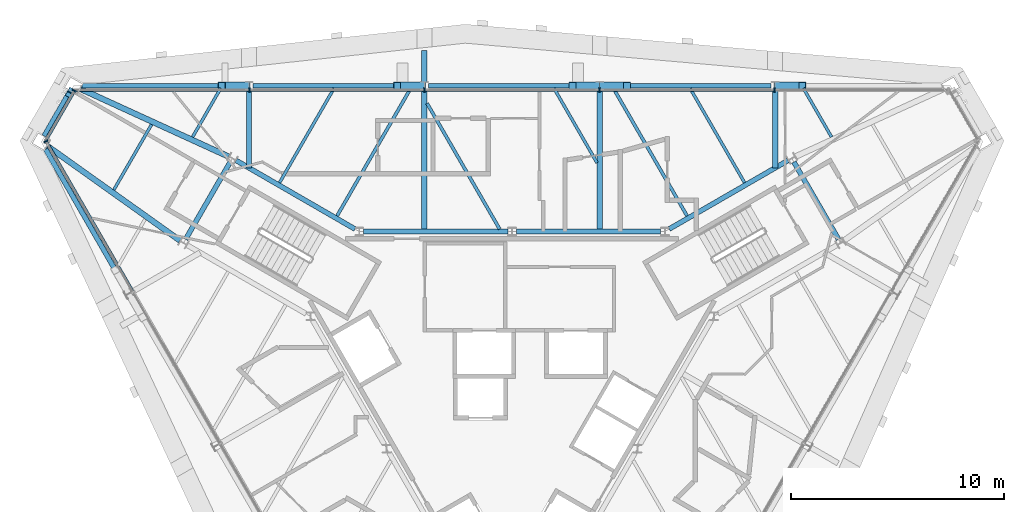
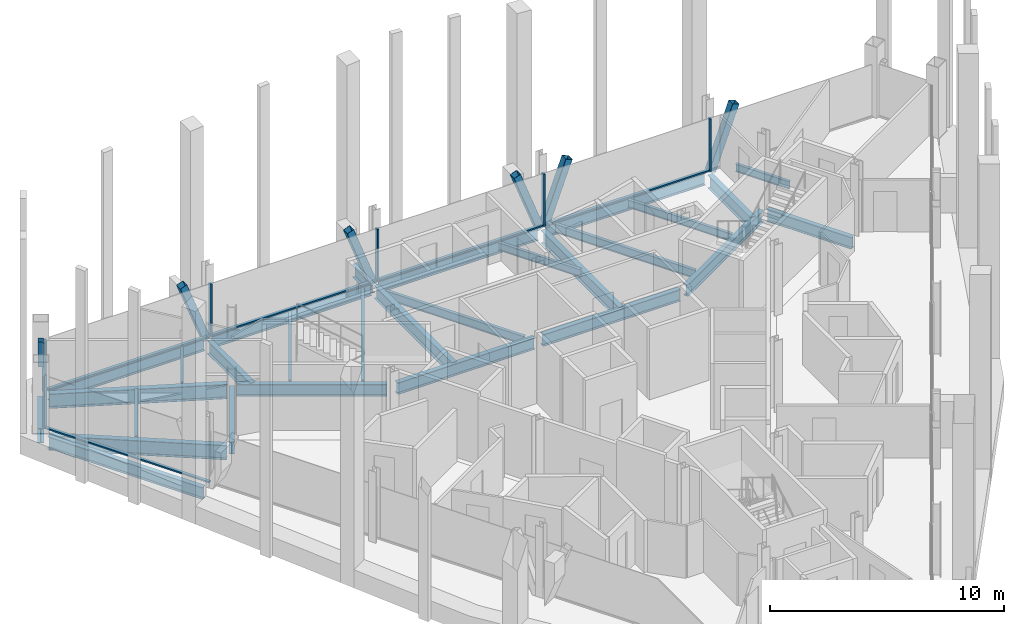
# One storey, part 5 of 13: 28 beams, 18 members, 3 elements without a shape of their own.
"""IFC4 building model written with IfcOpenShell, lengths in metres."""

from ifc_helpers import new_model, si_unit, direction, frame, origin, origin_2d, place, context, subcontext, project, spatial, rectangle, hollow_rectangle, i_section, extrude, material, material_profile, profile_set, type_object, element, aggregate, save


model = new_model("IFC4")

# Units and contexts
model_context = context("Model", 3, precision=1e-05, world=origin(), true_north=direction((0.0, 1.0)))
body_context = subcontext(model_context, "Body", "Model", "MODEL_VIEW")
ifc_project = project(units=[si_unit("LENGTHUNIT", "METRE"), si_unit("AREAUNIT", "SQUARE_METRE"), si_unit("VOLUMEUNIT", "CUBIC_METRE"), si_unit("PLANEANGLEUNIT", "RADIAN"), si_unit("MASSUNIT", "GRAM", prefix="KILO")], contexts=[model_context])

# Site, building, storey
site_placement = place(None, origin())
site = spatial("IfcSite", under=ifc_project, at=site_placement, CompositionType="ELEMENT")
building_placement = place(site_placement, origin())
building = spatial("IfcBuilding", under=site, at=building_placement, Name="Verrane Prism Tower", CompositionType="ELEMENT")
storey_placement = place(building_placement, frame((0.0, 0.0, 286.199951171875)))
storey = spatial("IfcBuildingStorey", under=building, at=storey_placement, Name="L72", CompositionType="ELEMENT", Elevation=286.199951171875)

# Member
ifc_material_1 = material(Name="Steel A500 Grade C", Category="steel")
ifc_material_profile_1 = material_profile(ifc_material_1, hollow_rectangle(XDim=0.25390625, YDim=0.25390625, WallThickness=0.009521484375, InnerFilletRadius=0.0048828125, OuterFilletRadius=0.014404296875, at=origin_2d()), Name="HSS10x10x3/8")
ifc_profile_set_1 = profile_set([ifc_material_profile_1], Name="Steel A500 Grade C")
member_type_1 = type_object("IfcMemberType", Name="Chamfer brace HSS10x10x3/8", PredefinedType="BRACE", material=ifc_profile_set_1)
member_1_placement = place(storey_placement, frame((-20.735107421875, 13.416259765625, 1.434814453125), z_axis=(-0.067786070904, -0.117484586728, 0.990758507646), x_axis=(0.866164837017, -0.499758416753, 0.0)))
element("IfcMember", 1, at=member_1_placement, inside=storey, type_object=member_type_1, Name="Chamfer brace NW0 L72", PredefinedType="BRACE", context=body_context, shape_type="SweptSolid", body=[
    extrude(hollow_rectangle(XDim=0.25390625, YDim=0.25390625, WallThickness=0.009521484375, InnerFilletRadius=0.0048828125, OuterFilletRadius=0.014404296875, at=origin_2d()), origin(), (0.0, 0.0, 1.0), 1.4443359375),
])

# Beams
ifc_material_2 = material(Name="Steel A992", Category="steel")
ifc_material_profile_2 = material_profile(ifc_material_2, i_section(OverallWidth=0.2666015625, OverallDepth=0.7568359375, WebThickness=0.013916015625, FlangeThickness=0.019287109375, FilletRadius=0.0166015625, at=origin_2d()), Name="W30x108")
ifc_profile_set_2 = profile_set([ifc_material_profile_2], Name="Steel A992")
beam_type_1 = type_object("IfcBeamType", Name="Chamfer spandrel beam W30x108", PredefinedType="SPANDREL", material=ifc_profile_set_2)
beam_1_placement = place(storey_placement, frame((-20.75, 13.390380859375, -0.538330078125), z_axis=(-0.500436097356, -0.865773476415, 0.0), x_axis=(0.865773476415, -0.500436097356, 0.0)))
element("IfcBeam", 2, at=beam_1_placement, inside=storey, type_object=beam_type_1, Name="Chamfer spandrel beam L72", PredefinedType="SPANDREL", context=body_context, shape_type="SweptSolid", body=[
    extrude(i_section(OverallWidth=0.2666015625, OverallDepth=0.7568359375, WebThickness=0.013916015625, FlangeThickness=0.019287109375, FilletRadius=0.0166015625, at=origin_2d()), origin(), (0.0, 0.0, 1.0), 2.437744140625),
])
ifc_material_3 = material(Name="Steel A992", Category="steel")
ifc_material_profile_3 = material_profile(ifc_material_3, i_section(OverallWidth=0.23046875, OverallDepth=0.6171875, WebThickness=0.01318359375, FlangeThickness=0.022216796875, FilletRadius=0.012939453125, at=origin_2d()), Name="W24x94")
ifc_profile_set_3 = profile_set([ifc_material_profile_3], Name="Steel A992")
beam_type_2 = type_object("IfcBeamType", Name="Core ring girder W24x94", PredefinedType="BEAM", material=ifc_profile_set_3)
beam_2_placement = place(storey_placement, frame((15.339599609375, 6.43359375, -0.55859375), z_axis=(-0.500306681185, 0.865848268903, 0.0), x_axis=(-0.865848268903, -0.500306681185, 0.0)))
element("IfcBeam", 3, at=beam_2_placement, inside=storey, type_object=beam_type_2, Name="Core ring girder L72", PredefinedType="BEAM", context=body_context, shape_type="SweptSolid", body=[
    extrude(i_section(OverallWidth=0.23046875, OverallDepth=0.6171875, WebThickness=0.01318359375, FlangeThickness=0.022216796875, FilletRadius=0.012939453125, at=origin_2d()), origin(), (0.0, 0.0, 1.0), 4.195556640625),
])
beam_3_placement = place(storey_placement, frame((12.96728515625, 10.140380859375, -0.55859375), z_axis=(-0.866080992722, -0.499903704773, 0.0), x_axis=(0.499903704773, -0.866080992722, 0.0)))
element("IfcBeam", 4, at=beam_3_placement, inside=storey, type_object=beam_type_2, Name="Core ring girder L72", PredefinedType="BEAM", context=body_context, shape_type="SweptSolid", body=[
    extrude(i_section(OverallWidth=0.23046875, OverallDepth=0.6171875, WebThickness=0.01318359375, FlangeThickness=0.022216796875, FilletRadius=0.012939453125, at=origin_2d()), origin(), (0.0, 0.0, 1.0), 6.451904296875),
])
for number, where, z_axis, x_axis, name in (
    (5, (6.980712890625, 6.800048828125, -0.55859375), (-1.0, 0.0, 0.0), (0.0, -1.0, 0.0), "Core ring girder L72"),
    (6, (-0.199462890625, 6.800048828125, -0.55859375), (-1.0, 0.0, 0.0), (0.0, -1.0, 0.0), "Core ring girder L72"),
):
    element("IfcBeam", number, at=place(storey_placement, frame(where, z_axis=z_axis, x_axis=x_axis)), inside=storey, type_object=beam_type_2, Name=name, PredefinedType="BEAM", context=body_context, shape_type="SweptSolid", body=[
        extrude(i_section(OverallWidth=0.23046875, OverallDepth=0.6171875, WebThickness=0.01318359375, FlangeThickness=0.022216796875, FilletRadius=0.012939453125, at=origin_2d()), origin(), (0.0, 0.0, 1.0), 6.78125),
    ])
beam_4_placement = place(storey_placement, frame((-7.37939453125, 6.9150390625, -0.55859375), z_axis=(-0.866080992722, 0.499903704773, 0.0), x_axis=(-0.499903704773, -0.866080992722, 0.0)))
element("IfcBeam", 7, at=beam_4_placement, inside=storey, type_object=beam_type_2, Name="Core ring girder L72", PredefinedType="BEAM", context=body_context, shape_type="SweptSolid", body=[
    extrude(i_section(OverallWidth=0.23046875, OverallDepth=0.6171875, WebThickness=0.01318359375, FlangeThickness=0.022216796875, FilletRadius=0.012939453125, at=origin_2d()), origin(), (0.0, 0.0, 1.0), 6.451904296875),
])
beam_5_placement = place(storey_placement, frame((-13.240478515625, 10.06640625, -0.55859375), z_axis=(-0.500306681185, -0.865848268903, 0.0), x_axis=(0.865848268903, -0.500306681185, 0.0)))
element("IfcBeam", 8, at=beam_5_placement, inside=storey, type_object=beam_type_2, Name="Core ring girder L72", PredefinedType="BEAM", context=body_context, shape_type="SweptSolid", body=[
    extrude(i_section(OverallWidth=0.23046875, OverallDepth=0.6171875, WebThickness=0.01318359375, FlangeThickness=0.022216796875, FilletRadius=0.012939453125, at=origin_2d()), origin(), (0.0, 0.0, 1.0), 4.195556640625),
])
ifc_material_4 = material(Name="Steel A992", Category="steel")
ifc_material_profile_4 = material_profile(ifc_material_4, i_section(OverallWidth=0.2666015625, OverallDepth=0.7568359375, WebThickness=0.013916015625, FlangeThickness=0.019287109375, FilletRadius=0.0166015625, at=origin_2d()), Name="W30x108")
ifc_profile_set_4 = profile_set([ifc_material_profile_4], Name="Steel A992")
beam_type_3 = type_object("IfcBeamType", Name="Corner girder W30x108", PredefinedType="BEAM", material=ifc_profile_set_4)
for number, where, z_axis, x_axis, name in (
    (9, (-20.2802734375, 13.50390625, -0.598388671875), (0.909481370613, -0.415744677065, 0.0), (0.415744677065, 0.909481370613, 0.0), "Corner girder L72"),
    (10, (-21.833740234375, 10.81591796875, -0.598388671875), (0.814401339816, -0.580302040067, 0.0), (0.580302040067, 0.814401339816, 0.0), "Corner girder L72"),
):
    element("IfcBeam", number, at=place(storey_placement, frame(where, z_axis=z_axis, x_axis=x_axis)), inside=storey, type_object=beam_type_3, Name=name, PredefinedType="BEAM", context=body_context, shape_type="SweptSolid", body=[
        extrude(i_section(OverallWidth=0.2666015625, OverallDepth=0.7568359375, WebThickness=0.013916015625, FlangeThickness=0.019287109375, FilletRadius=0.0166015625, at=origin_2d()), origin(), (0.0, 0.0, 1.0), 7.650634765625),
    ])

# Members
ifc_material_5 = material(Name="Steel A500 Grade C", Category="steel")
ifc_material_profile_5 = material_profile(ifc_material_5, hollow_rectangle(XDim=0.355712890625, YDim=0.355712890625, WallThickness=0.0126953125, InnerFilletRadius=0.00634765625, OuterFilletRadius=0.01904296875, at=origin_2d()), Name="HSS14x14x1/2")
ifc_profile_set_5 = profile_set([ifc_material_profile_5], Name="Steel A500 Grade C")
member_type_2 = type_object("IfcMemberType", Name="Facade brace HSS14x14x1/2", PredefinedType="BRACE", material=ifc_profile_set_5)
for number, where, z_axis, x_axis, name in (
    (11, (12.47021484375, 13.64990234375, -0.171630859375), (0.34799321157, 0.0, 0.937497053169), (0.0, 1.0, 0.0), "Facade brace N0 L72"),
    (12, (4.230224609375, 13.64990234375, -0.171630859375), (0.34799321157, 0.0, 0.937497053169), (0.0, 1.0, 0.0), "Facade brace N1 L72"),
    (13, (4.009765625, 13.64990234375, -0.171630859375), (-0.34799321157, 0.0, 0.937497053169), (0.0, -1.0, 0.0), "Facade brace N2 L72"),
    (14, (-4.230224609375, 13.64990234375, -0.171630859375), (-0.34799321157, 0.0, 0.937497053169), (0.0, -1.0, 0.0), "Facade brace N3 L72"),
    (15, (-12.47021484375, 13.64990234375, -0.171630859375), (-0.34799321157, 0.0, 0.937497053169), (0.0, -1.0, 0.0), "Facade brace N4 L72"),
):
    element("IfcMember", number, at=place(storey_placement, frame(where, z_axis=z_axis, x_axis=x_axis)), inside=storey, type_object=member_type_2, Name=name, PredefinedType="BRACE", context=body_context, shape_type="SweptSolid", body=[
        extrude(hollow_rectangle(XDim=0.355712890625, YDim=0.355712890625, WallThickness=0.0126953125, InnerFilletRadius=0.00634765625, OuterFilletRadius=0.01904296875, at=origin_2d()), origin(), (0.0, 0.0, 1.0), 3.361328125),
    ])

# Beams
ifc_material_6 = material(Name="Steel A992", Category="steel")
ifc_material_profile_6 = material_profile(ifc_material_6, i_section(OverallWidth=0.140380859375, OverallDepth=0.40380859375, WebThickness=0.007080078125, FlangeThickness=0.01123046875, FilletRadius=0.01025390625, at=origin_2d()), Name="W16x31")
ifc_profile_set_6 = profile_set([ifc_material_profile_6], Name="Steel A992")
beam_type_4 = type_object("IfcBeamType", Name="Floor beam W16x31", PredefinedType="BEAM", material=ifc_profile_set_6)
beam_6_placement = place(storey_placement, frame((15.01123046875, 11.2421875, -0.36181640625), z_axis=(-0.50007632508, 0.865981332994, 0.0), x_axis=(-0.865981332994, -0.50007632508, 0.0)))
element("IfcBeam", 16, at=beam_6_placement, inside=storey, type_object=beam_type_4, Name="Floor beam L72", PredefinedType="BEAM", context=body_context, shape_type="SweptSolid", body=[
    extrude(i_section(OverallWidth=0.140380859375, OverallDepth=0.40380859375, WebThickness=0.007080078125, FlangeThickness=0.01123046875, FilletRadius=0.01025390625, at=origin_2d()), origin(), (0.0, 0.0, 1.0), 2.6474609375),
])
beam_7_placement = place(storey_placement, frame((10.925048828125, 9.094482421875, -0.36181640625), z_axis=(-0.500005474671, 0.866022242959, 0.0), x_axis=(-0.866022242959, -0.500005474671, 0.0)))
element("IfcBeam", 17, at=beam_7_placement, inside=storey, type_object=beam_type_4, Name="Floor beam L72", PredefinedType="BEAM", context=body_context, shape_type="SweptSolid", body=[
    extrude(i_section(OverallWidth=0.140380859375, OverallDepth=0.40380859375, WebThickness=0.007080078125, FlangeThickness=0.01123046875, FilletRadius=0.01025390625, at=origin_2d()), origin(), (0.0, 0.0, 1.0), 5.12744140625),
])
beam_8_placement = place(storey_placement, frame((3.992919921875, 10.029296875, -0.36181640625), z_axis=(-0.499992196334, 0.866029909186, 0.0), x_axis=(-0.866029909186, -0.499992196334, 0.0)))
element("IfcBeam", 18, at=beam_8_placement, inside=storey, type_object=beam_type_4, Name="Floor beam L72", PredefinedType="BEAM", context=body_context, shape_type="SweptSolid", body=[
    extrude(i_section(OverallWidth=0.140380859375, OverallDepth=0.40380859375, WebThickness=0.007080078125, FlangeThickness=0.01123046875, FilletRadius=0.01025390625, at=origin_2d()), origin(), (0.0, 0.0, 1.0), 4.0478515625),
])
beam_9_placement = place(storey_placement, frame((-10.925048828125, 9.094482421875, -0.36181640625), z_axis=(0.500005474671, 0.866022242959, 0.0), x_axis=(-0.866022242959, 0.500005474671, 0.0)))
element("IfcBeam", 19, at=beam_9_placement, inside=storey, type_object=beam_type_4, Name="Floor beam L72", PredefinedType="BEAM", context=body_context, shape_type="SweptSolid", body=[
    extrude(i_section(OverallWidth=0.140380859375, OverallDepth=0.40380859375, WebThickness=0.007080078125, FlangeThickness=0.01123046875, FilletRadius=0.01025390625, at=origin_2d()), origin(), (0.0, 0.0, 1.0), 5.12744140625),
])
beam_10_placement = place(storey_placement, frame((-15.01123046875, 11.2421875, -0.36181640625), z_axis=(0.50007632508, 0.865981332994, 0.0), x_axis=(-0.865981332994, 0.50007632508, 0.0)))
element("IfcBeam", 20, at=beam_10_placement, inside=storey, type_object=beam_type_4, Name="Floor beam L72", PredefinedType="BEAM", context=body_context, shape_type="SweptSolid", body=[
    extrude(i_section(OverallWidth=0.140380859375, OverallDepth=0.40380859375, WebThickness=0.007080078125, FlangeThickness=0.01123046875, FilletRadius=0.01025390625, at=origin_2d()), origin(), (0.0, 0.0, 1.0), 2.6474609375),
])
beam_11_placement = place(storey_placement, frame((-18.712158203125, 8.755615234375, -0.36181640625), z_axis=(0.499986454343, 0.866033224232, 0.0), x_axis=(-0.866033224232, 0.499986454343, 0.0)))
element("IfcBeam", 21, at=beam_11_placement, inside=storey, type_object=beam_type_4, Name="Floor beam L72", PredefinedType="BEAM", context=body_context, shape_type="SweptSolid", body=[
    extrude(i_section(OverallWidth=0.140380859375, OverallDepth=0.40380859375, WebThickness=0.007080078125, FlangeThickness=0.01123046875, FilletRadius=0.01025390625, at=origin_2d()), origin(), (0.0, 0.0, 1.0), 3.548828125),
])
ifc_material_7 = material(Name="Steel A992", Category="steel")
ifc_material_profile_7 = material_profile(ifc_material_7, i_section(OverallWidth=0.15234375, OverallDepth=0.449462890625, WebThickness=0.007568359375, FlangeThickness=0.0107421875, FilletRadius=0.01025390625, at=origin_2d()), Name="W18x35")
ifc_profile_set_7 = profile_set([ifc_material_profile_7], Name="Steel A992")
beam_type_5 = type_object("IfcBeamType", Name="Floor beam W18x35", PredefinedType="BEAM", material=ifc_profile_set_7)
beam_12_placement = place(storey_placement, frame((8.22265625, 7.53466796875, -0.384765625), z_axis=(-0.500012221024, 0.866018347858, 0.0), x_axis=(-0.866018347858, -0.500012221024, 0.0)))
element("IfcBeam", 22, at=beam_12_placement, inside=storey, type_object=beam_type_5, Name="Floor beam L72", PredefinedType="BEAM", context=body_context, shape_type="SweptSolid", body=[
    extrude(i_section(OverallWidth=0.15234375, OverallDepth=0.449462890625, WebThickness=0.007568359375, FlangeThickness=0.0107421875, FilletRadius=0.01025390625, at=origin_2d()), origin(), (0.0, 0.0, 1.0), 6.928466796875),
])
beam_13_placement = place(storey_placement, frame((-0.583251953125, 6.9150390625, -0.384765625), z_axis=(-0.499997234054, 0.866027000698, 0.0), x_axis=(-0.866027000698, -0.499997234054, 0.0)))
element("IfcBeam", 23, at=beam_13_placement, inside=storey, type_object=beam_type_5, Name="Floor beam L72", PredefinedType="BEAM", context=body_context, shape_type="SweptSolid", body=[
    extrude(i_section(OverallWidth=0.15234375, OverallDepth=0.449462890625, WebThickness=0.007568359375, FlangeThickness=0.0107421875, FilletRadius=0.01025390625, at=origin_2d()), origin(), (0.0, 0.0, 1.0), 6.8193359375),
])
beam_14_placement = place(storey_placement, frame((-8.22265625, 7.53466796875, -0.384765625), z_axis=(0.500012221024, 0.866018347858, 0.0), x_axis=(-0.866018347858, 0.500012221024, 0.0)))
element("IfcBeam", 24, at=beam_14_placement, inside=storey, type_object=beam_type_5, Name="Floor beam L72", PredefinedType="BEAM", context=body_context, shape_type="SweptSolid", body=[
    extrude(i_section(OverallWidth=0.15234375, OverallDepth=0.449462890625, WebThickness=0.007568359375, FlangeThickness=0.0107421875, FilletRadius=0.01025390625, at=origin_2d()), origin(), (0.0, 0.0, 1.0), 6.928466796875),
])

# Curtain wall, members
ifc_material_8 = material(Name="Aluminium framed insulated glazing", Category="aluminium")
curtain_wall_type = type_object("IfcCurtainWallType", Name="Curtain wall CW-A 8400 module", PredefinedType="NOTDEFINED", material=ifc_material_8)
curtain_wall_1_placement = place(storey_placement, origin())
curtain_wall_1 = element("IfcCurtainWall", 25, at=curtain_wall_1_placement, inside=storey, type_object=curtain_wall_type, Name="Glazed curtain wall north face L72", PredefinedType="NOTDEFINED")
ifc_material_9 = material(Name="Aluminium alloy 6063-T6", Category="aluminium")
ifc_material_profile_8 = material_profile(ifc_material_9, rectangle(XDim=0.199951171875, YDim=0.070068359375, at=origin_2d()), Name="Mullion 70x200 aluminium")
ifc_profile_set_8 = profile_set([ifc_material_profile_8], Name="Aluminium alloy 6063-T6")
member_type_3 = type_object("IfcMemberType", Name="Mullion 70x200 aluminium", PredefinedType="MULLION", material=ifc_profile_set_8)
member_2_placement = place(storey_placement, frame((12.32763671875, 13.447265625, 0.0), z_axis=(0.0, 0.0, 1.0), x_axis=(0.0, -1.0, 0.0)))
member_2 = element("IfcMember", 26, at=member_2_placement, type_object=member_type_3, Name="CW72.2 mullion 2", PredefinedType="MULLION", context=body_context, shape_type="SweptSolid", body=[
    extrude(rectangle(XDim=0.199951171875, YDim=0.070068359375, at=origin_2d()), origin(), (0.0, 0.0, 1.0), 2.72314453125),
])
member_3_placement = place(storey_placement, frame((4.109130859375, 13.447265625, 0.0), z_axis=(0.0, 0.0, 1.0), x_axis=(0.0, -1.0, 0.0)))
member_3 = element("IfcMember", 27, at=member_3_placement, type_object=member_type_3, Name="CW72.2 mullion 3", PredefinedType="MULLION", context=body_context, shape_type="SweptSolid", body=[
    extrude(rectangle(XDim=0.199951171875, YDim=0.070068359375, at=origin_2d()), origin(), (0.0, 0.0, 1.0), 2.72314453125),
])
member_4_placement = place(storey_placement, frame((-4.109130859375, 13.447265625, 0.0), z_axis=(0.0, 0.0, 1.0), x_axis=(0.0, -1.0, 0.0)))
member_4 = element("IfcMember", 28, at=member_4_placement, type_object=member_type_3, Name="CW72.2 mullion 4", PredefinedType="MULLION", context=body_context, shape_type="SweptSolid", body=[
    extrude(rectangle(XDim=0.199951171875, YDim=0.070068359375, at=origin_2d()), origin(), (0.0, 0.0, 1.0), 2.72314453125),
])
member_5_placement = place(storey_placement, frame((-12.32763671875, 13.447265625, 0.0), z_axis=(0.0, 0.0, 1.0), x_axis=(0.0, -1.0, 0.0)))
member_5 = element("IfcMember", 29, at=member_5_placement, type_object=member_type_3, Name="CW72.2 mullion 5", PredefinedType="MULLION", context=body_context, shape_type="SweptSolid", body=[
    extrude(rectangle(XDim=0.199951171875, YDim=0.070068359375, at=origin_2d()), origin(), (0.0, 0.0, 1.0), 2.72314453125),
])

# Curtain wall, member
curtain_wall_2_placement = place(storey_placement, origin())
curtain_wall_2 = element("IfcCurtainWall", 30, at=curtain_wall_2_placement, inside=storey, type_object=curtain_wall_type, Name="Glazed curtain wall north-west corner L72", PredefinedType="NOTDEFINED")
member_6_placement = place(storey_placement, frame((-20.563720703125, 13.4169921875, 0.0), z_axis=(0.0, 0.0, 1.0), x_axis=(0.866024225493, -0.500002040855, 0.0)))
member_6 = element("IfcMember", 31, at=member_6_placement, type_object=member_type_3, Name="CW72.3 mullion 1", PredefinedType="MULLION", context=body_context, shape_type="SweptSolid", body=[
    extrude(rectangle(XDim=0.199951171875, YDim=0.070068359375, at=origin_2d()), origin(), (0.0, 0.0, 1.0), 2.72314453125),
])

curtain_wall_3_placement = place(storey_placement, origin())
curtain_wall_3 = element("IfcCurtainWall", 32, at=curtain_wall_3_placement, inside=storey, type_object=curtain_wall_type, Name="Glazed curtain wall south-west face L72", PredefinedType="NOTDEFINED")
member_7_placement = place(storey_placement, frame((-21.901123046875, 11.03955078125, 0.0), z_axis=(0.0, 0.0, 1.0), x_axis=(0.866024861728, 0.500000938868, 0.0)))
member_7 = element("IfcMember", 33, at=member_7_placement, type_object=member_type_3, Name="CW72.4 mullion 1", PredefinedType="MULLION", context=body_context, shape_type="SweptSolid", body=[
    extrude(rectangle(XDim=0.199951171875, YDim=0.070068359375, at=origin_2d()), origin(), (0.0, 0.0, 1.0), 2.72314453125),
])

# Beams
ifc_material_10 = material(Name="Steel A992", Category="steel")
ifc_material_profile_9 = material_profile(ifc_material_10, i_section(OverallWidth=0.25390625, OverallDepth=0.683349609375, WebThickness=0.012451171875, FlangeThickness=0.01904296875, FilletRadius=0.01513671875, at=origin_2d()), Name="W27x94")
ifc_profile_set_9 = profile_set([ifc_material_profile_9], Name="Steel A992")
beam_type_6 = type_object("IfcBeamType", Name="Radial girder W27x94", PredefinedType="BEAM", material=ifc_profile_set_9)
beam_15_placement = place(storey_placement, frame((12.360107421875, 13.4658203125, -0.5615234375), z_axis=(0.0, -1.0, 0.0), x_axis=(1.0, 0.0, 0.0)))
element("IfcBeam", 34, at=beam_15_placement, inside=storey, type_object=beam_type_6, Name="Radial girder L72", PredefinedType="BEAM", context=body_context, shape_type="SweptSolid", body=[
    extrude(i_section(OverallWidth=0.25390625, OverallDepth=0.683349609375, WebThickness=0.012451171875, FlangeThickness=0.01904296875, FilletRadius=0.01513671875, at=origin_2d()), origin(), (0.0, 0.0, 1.0), 3.676025390625),
])
for number, where, z_axis, x_axis, name in (
    (35, (4.1201171875, 13.4658203125, -0.5615234375), (0.0, -1.0, 0.0), (1.0, 0.0, 0.0), "Radial girder L72"),
    (36, (-4.1201171875, 13.4658203125, -0.5615234375), (0.0, -1.0, 0.0), (1.0, 0.0, 0.0), "Radial girder L72"),
):
    element("IfcBeam", number, at=place(storey_placement, frame(where, z_axis=z_axis, x_axis=x_axis)), inside=storey, type_object=beam_type_6, Name=name, PredefinedType="BEAM", context=body_context, shape_type="SweptSolid", body=[
        extrude(i_section(OverallWidth=0.25390625, OverallDepth=0.683349609375, WebThickness=0.012451171875, FlangeThickness=0.01904296875, FilletRadius=0.01513671875, at=origin_2d()), origin(), (0.0, 0.0, 1.0), 6.665771484375),
    ])
beam_16_placement = place(storey_placement, frame((-12.360107421875, 13.4658203125, -0.5615234375), z_axis=(0.0, -1.0, 0.0), x_axis=(1.0, 0.0, 0.0)))
element("IfcBeam", 37, at=beam_16_placement, inside=storey, type_object=beam_type_6, Name="Radial girder L72", PredefinedType="BEAM", context=body_context, shape_type="SweptSolid", body=[
    extrude(i_section(OverallWidth=0.25390625, OverallDepth=0.683349609375, WebThickness=0.012451171875, FlangeThickness=0.01904296875, FilletRadius=0.01513671875, at=origin_2d()), origin(), (0.0, 0.0, 1.0), 3.676025390625),
])
beam_17_placement = place(storey_placement, frame((-4.1201171875, 13.830078125, -0.5615234375), z_axis=(0.0, 1.0, 0.0), x_axis=(-1.0, 0.0, 0.0)))
element("IfcBeam", 38, at=beam_17_placement, inside=storey, type_object=beam_type_6, Name="Cantilever girder L72", PredefinedType="BEAM", context=body_context, shape_type="SweptSolid", body=[
    extrude(i_section(OverallWidth=0.25390625, OverallDepth=0.683349609375, WebThickness=0.012451171875, FlangeThickness=0.01904296875, FilletRadius=0.01513671875, at=origin_2d()), origin(), (0.0, 0.0, 1.0), 1.475830078125),
])
ifc_material_11 = material(Name="Steel A992", Category="steel")
ifc_material_profile_10 = material_profile(ifc_material_11, i_section(OverallWidth=0.23046875, OverallDepth=0.6171875, WebThickness=0.01318359375, FlangeThickness=0.022216796875, FilletRadius=0.012939453125, at=origin_2d()), Name="W24x94")
ifc_profile_set_10 = profile_set([ifc_material_profile_10], Name="Steel A992")
beam_type_7 = type_object("IfcBeamType", Name="Spandrel beam W24x94", PredefinedType="SPANDREL", material=ifc_profile_set_10)
for number, where, z_axis, x_axis, name in (
    (39, (12.17333984375, 13.64990234375, -0.468505859375), (-1.0, 0.0, 0.0), (0.0, -1.0, 0.0), "Spandrel beam L72"),
    (40, (3.933349609375, 13.64990234375, -0.468505859375), (-1.0, 0.0, 0.0), (0.0, -1.0, 0.0), "Spandrel beam L72"),
    (41, (-4.306640625, 13.64990234375, -0.468505859375), (-1.0, 0.0, 0.0), (0.0, -1.0, 0.0), "Spandrel beam L72"),
):
    element("IfcBeam", number, at=place(storey_placement, frame(where, z_axis=z_axis, x_axis=x_axis)), inside=storey, type_object=beam_type_7, Name=name, PredefinedType="SPANDREL", context=body_context, shape_type="SweptSolid", body=[
        extrude(i_section(OverallWidth=0.23046875, OverallDepth=0.6171875, WebThickness=0.01318359375, FlangeThickness=0.022216796875, FilletRadius=0.012939453125, at=origin_2d()), origin(), (0.0, 0.0, 1.0), 7.86669921875),
    ])
beam_18_placement = place(storey_placement, frame((-12.546630859375, 13.64990234375, -0.468505859375), z_axis=(-1.0, 0.0, 0.0), x_axis=(0.0, -1.0, 0.0)))
element("IfcBeam", 42, at=beam_18_placement, inside=storey, type_object=beam_type_7, Name="Spandrel beam L72", PredefinedType="SPANDREL", context=body_context, shape_type="SweptSolid", body=[
    extrude(i_section(OverallWidth=0.23046875, OverallDepth=0.6171875, WebThickness=0.01318359375, FlangeThickness=0.022216796875, FilletRadius=0.012939453125, at=origin_2d()), origin(), (0.0, 0.0, 1.0), 7.649169921875),
])
beam_19_placement = place(storey_placement, frame((-21.91796875, 10.669921875, -0.468505859375), z_axis=(0.499797022492, -0.866142561192, 0.0), x_axis=(0.866142561192, 0.499797022492, 0.0)))
element("IfcBeam", 43, at=beam_19_placement, inside=storey, type_object=beam_type_7, Name="Spandrel beam L72", PredefinedType="SPANDREL", context=body_context, shape_type="SweptSolid", body=[
    extrude(i_section(OverallWidth=0.23046875, OverallDepth=0.6171875, WebThickness=0.01318359375, FlangeThickness=0.022216796875, FilletRadius=0.012939453125, at=origin_2d()), origin(), (0.0, 0.0, 1.0), 7.652587890625),
])

# Member
ifc_material_12 = material(Name="Aluminium alloy 6063-T6", Category="aluminium")
ifc_material_profile_11 = material_profile(ifc_material_12, rectangle(XDim=0.14990234375, YDim=0.070068359375, at=origin_2d()), Name="Transom 70x150 aluminium")
ifc_profile_set_11 = profile_set([ifc_material_profile_11], Name="Aluminium alloy 6063-T6")
member_type_4 = type_object("IfcMemberType", Name="Transom 70x150 aluminium", PredefinedType="USERDEFINED", material=ifc_profile_set_11)
member_8_placement = place(storey_placement, frame((12.292724609375, 13.447265625, 0.03515625), z_axis=(-1.0, 0.0, 0.0), x_axis=(0.0, -1.0, 0.0)))
member_8 = element("IfcMember", 44, at=member_8_placement, type_object=member_type_4, Name="CW72.2 transom 2", ObjectType="TRANSOM", PredefinedType="USERDEFINED", context=body_context, shape_type="SweptSolid", body=[
    extrude(rectangle(XDim=0.14990234375, YDim=0.070068359375, at=origin_2d()), origin(), (0.0, 0.0, 1.0), 8.1484375),
])

member_9_placement = place(storey_placement, frame((4.07421875, 13.447265625, 0.03515625), z_axis=(-1.0, 0.0, 0.0), x_axis=(0.0, -1.0, 0.0)))
member_9 = element("IfcMember", 45, at=member_9_placement, type_object=member_type_4, Name="CW72.2 transom 3", ObjectType="TRANSOM", PredefinedType="USERDEFINED", context=body_context, shape_type="SweptSolid", body=[
    extrude(rectangle(XDim=0.14990234375, YDim=0.070068359375, at=origin_2d()), origin(), (0.0, 0.0, 1.0), 8.1484375),
])

member_10_placement = place(storey_placement, frame((-4.144287109375, 13.447265625, 0.03515625), z_axis=(-1.0, 0.0, 0.0), x_axis=(0.0, -1.0, 0.0)))
member_10 = element("IfcMember", 46, at=member_10_placement, type_object=member_type_4, Name="CW72.2 transom 4", ObjectType="TRANSOM", PredefinedType="USERDEFINED", context=body_context, shape_type="SweptSolid", body=[
    extrude(rectangle(XDim=0.14990234375, YDim=0.070068359375, at=origin_2d()), origin(), (0.0, 0.0, 1.0), 8.1484375),
])

member_11_placement = place(storey_placement, frame((-12.362548828125, 13.447265625, 0.03515625), z_axis=(-1.0, 0.0, 0.0), x_axis=(0.0, -1.0, 0.0)))
member_11 = element("IfcMember", 47, at=member_11_placement, type_object=member_type_4, Name="CW72.2 transom 5", ObjectType="TRANSOM", PredefinedType="USERDEFINED", context=body_context, shape_type="SweptSolid", body=[
    extrude(rectangle(XDim=0.14990234375, YDim=0.070068359375, at=origin_2d()), origin(), (0.0, 0.0, 1.0), 8.18359375),
])

aggregate(curtain_wall_1, [member_2, member_3, member_4, member_5, member_8, member_9, member_10, member_11])

member_12_placement = place(storey_placement, frame((-20.5810546875, 13.386474609375, 0.03515625), z_axis=(-0.50003581814, -0.866004723184, 0.0), x_axis=(0.866004723184, -0.50003581814, 0.0)))
member_12 = element("IfcMember", 48, at=member_12_placement, type_object=member_type_4, Name="CW72.3 transom 1", ObjectType="TRANSOM", PredefinedType="USERDEFINED", context=body_context, shape_type="SweptSolid", body=[
    extrude(rectangle(XDim=0.14990234375, YDim=0.070068359375, at=origin_2d()), origin(), (0.0, 0.0, 1.0), 2.675048828125),
])

aggregate(curtain_wall_2, [member_6, member_12])

member_13_placement = place(storey_placement, frame((-21.8837890625, 11.00927734375, 0.03515625), z_axis=(0.500006361831, -0.866021730749, 0.0), x_axis=(0.866021730749, 0.500006361831, 0.0)))
member_13 = element("IfcMember", 49, at=member_13_placement, type_object=member_type_4, Name="CW72.4 transom 1", ObjectType="TRANSOM", PredefinedType="USERDEFINED", context=body_context, shape_type="SweptSolid", body=[
    extrude(rectangle(XDim=0.14990234375, YDim=0.070068359375, at=origin_2d()), origin(), (0.0, 0.0, 1.0), 8.11376953125),
])

aggregate(curtain_wall_3, [member_7, member_13])

save(model, "model.ifc")
